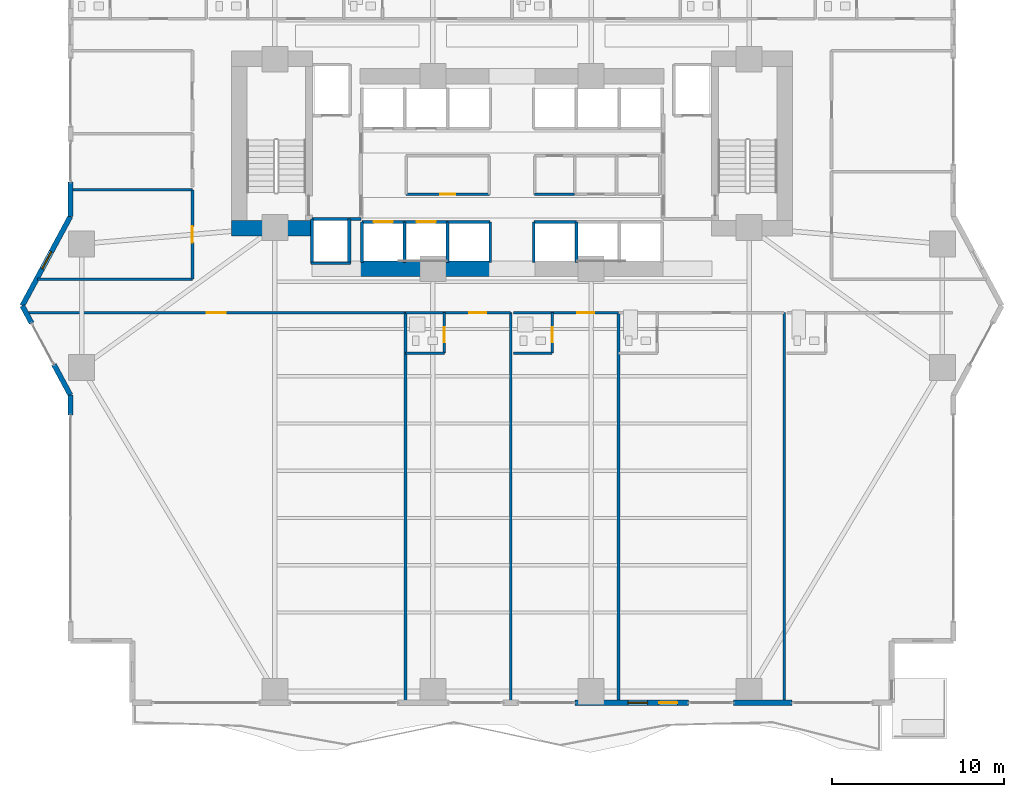
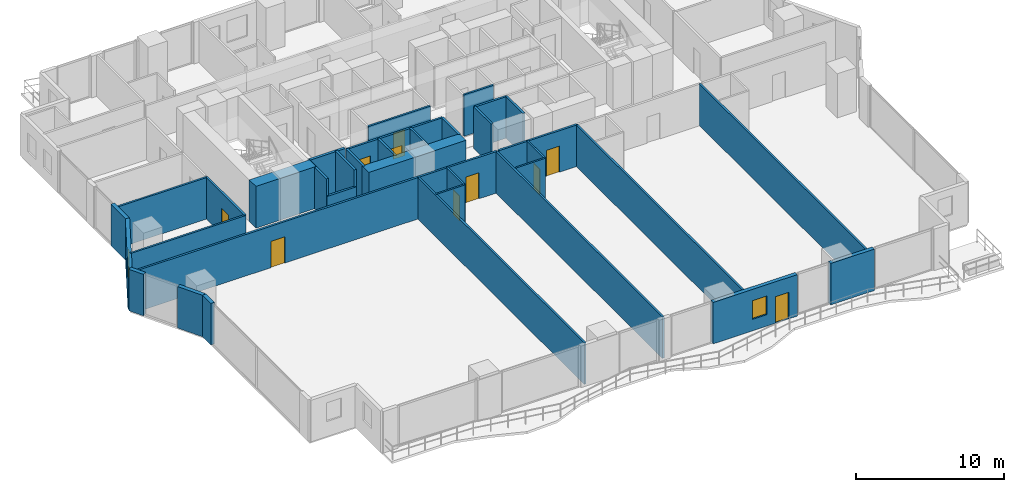
# One storey, part 19 of 30: 39 walls, 10 doors, 2 windows, 12 openings.
"""IFC4 building model written with IfcOpenShell, lengths in metres."""

from ifc_helpers import new_model, si_unit, direction, frame, frame_2d, origin, place, context, subcontext, project, spatial, rectangle, extrude, material, layer, layer_set, type_object, element, fill, save


model = new_model("IFC4")

# Units and contexts
model_context = context("Model", 3, precision=1e-05, world=origin(), true_north=direction((0.0, 1.0)))
body_context = subcontext(model_context, "Body", "Model", "MODEL_VIEW")
ifc_project = project(units=[si_unit("LENGTHUNIT", "METRE"), si_unit("AREAUNIT", "SQUARE_METRE"), si_unit("VOLUMEUNIT", "CUBIC_METRE"), si_unit("PLANEANGLEUNIT", "RADIAN"), si_unit("MASSUNIT", "GRAM", prefix="KILO")], contexts=[model_context])

# Site, building, storey
site_placement = place(None, origin())
site = spatial("IfcSite", under=ifc_project, at=site_placement, CompositionType="ELEMENT")
building_placement = place(site_placement, origin())
building = spatial("IfcBuilding", under=site, at=building_placement, Name="Zuhayl Quay Hotel", CompositionType="ELEMENT")
storey_placement = place(building_placement, frame((0.0, 0.0, 82.35009765625)))
storey = spatial("IfcBuildingStorey", under=building, at=storey_placement, Name="L20", CompositionType="ELEMENT", Elevation=82.35009765625)

# Walls
ifc_material_1 = material(Name="Concrete C70/85", Category="concrete")
ifc_layer_1 = layer(ifc_material_1, 0.89990234375, Name="Concrete C70/85", Category="concrete")
ifc_layer_set_1 = layer_set([ifc_layer_1], Name="Concrete C70/85")
wall_type_1 = type_object("IfcWallType", Name="WL_CORE_900", PredefinedType="SHEAR", material=ifc_layer_set_1)
wall_1_placement = place(storey_placement, frame((-16.31005859375, 4.52001953125, 0.0), z_axis=(0.0, 0.0, 1.0), x_axis=(1.0, 0.0, 0.0)))
element("IfcWall", 1, at=wall_1_placement, inside=storey, type_object=wall_type_1, Name="L20 Core Shear Wall CW_SW", PredefinedType="SHEAR", context=body_context, shape_type="SweptSolid", body=[
    extrude(rectangle(XDim=4.7099609375, YDim=0.89990234375, at=frame_2d((2.35498046875, 0.0))), origin(), (0.0, 0.0, 1.0), 3.4599609375),
])
wall_2_placement = place(storey_placement, frame((-8.85009765625, 2.14990234375, 0.0), z_axis=(0.0, 0.0, 1.0), x_axis=(1.0, 0.0, 0.0)))
element("IfcWall", 2, at=wall_2_placement, inside=storey, type_object=wall_type_1, Name="L20 Core Shear Wall CW_SC_W", PredefinedType="SHEAR", context=body_context, shape_type="SweptSolid", body=[
    extrude(rectangle(XDim=7.60009765625, YDim=0.89990234375, at=frame_2d((3.800048828125, 0.0))), origin(), (0.0, 0.0, 1.0), 3.429931640625),
])
ifc_material_2 = material(Name="Precast concrete C45/55", Category="concrete")
ifc_layer_2 = layer(ifc_material_2, 0.300048828125, Name="Precast concrete C45/55", Category="concrete")
ifc_layer_set_2 = layer_set([ifc_layer_2], Name="Precast concrete C45/55")
wall_type_2 = type_object("IfcWallType", Name="WL_EXT_300", PredefinedType="STANDARD", material=ifc_layer_set_2)
wall_3_placement = place(storey_placement, frame((-25.699951171875, -6.35009765625, 0.0), z_axis=(0.0, 0.0, 1.0), x_axis=(0.0, 1.0, 0.0)))
element("IfcWall", 3, at=wall_3_placement, inside=storey, type_object=wall_type_2, Name="L20 Exterior Precast Wall ENV_L20_E02_EW2", PredefinedType="STANDARD", context=body_context, shape_type="SweptSolid", body=[
    extrude(rectangle(XDim=1.150146484375, YDim=0.300048828125, at=frame_2d((0.5751953125, 0.0))), origin(), (0.0, 0.0, 1.0), 3.429931640625),
])
wall_4_placement = place(storey_placement, frame((-25.699951171875, -5.199951171875, 0.0), z_axis=(0.0, 0.0, 1.0), x_axis=(-0.474121438562, 0.88045946045, 0.0)))
element("IfcWall", 4, at=wall_4_placement, inside=storey, type_object=wall_type_2, Name="L20 Exterior Precast Wall ENV_L20_E03_EW1", PredefinedType="STANDARD", context=body_context, shape_type="SweptSolid", body=[
    extrude(rectangle(XDim=2.0205078125, YDim=0.300048828125, at=frame_2d((1.01025390625, 0.0))), origin(), (0.0, 0.0, 1.0), 3.429931640625),
])
wall_5_placement = place(storey_placement, frame((-27.954833984375, -1.012451171875, 0.0), z_axis=(0.0, 0.0, 1.0), x_axis=(-0.474099823035, 0.880471099922, 0.0)))
element("IfcWall", 5, at=wall_5_placement, inside=storey, type_object=wall_type_2, Name="L20 Exterior Precast Wall ENV_L20_E03_EW2", PredefinedType="STANDARD", context=body_context, shape_type="SweptSolid", body=[
    extrude(rectangle(XDim=1.14990234375, YDim=0.300048828125, at=frame_2d((0.574951171875, 0.0))), origin(), (0.0, 0.0, 1.0), 3.429931640625),
])

# Wall, opening, window
wall_6_placement = place(storey_placement, frame((-28.5, 0.0, 0.0), z_axis=(0.0, 0.0, 1.0), x_axis=(0.474109683532, 0.880465790352, 0.0)))
wall_6 = element("IfcWall", 6, at=wall_6_placement, inside=storey, type_object=wall_type_2, Name="L20 Exterior Precast Wall ENV_L20_E04_EW1", PredefinedType="STANDARD", context=body_context, shape_type="SweptSolid", body=[
    extrude(rectangle(XDim=5.906005859375, YDim=0.300048828125, at=frame_2d((2.953125, 0.0))), origin(), (0.0, 0.0, 1.0), 3.429931640625),
])
opening_1_placement = place(wall_6_placement, frame((2.43212890625, 0.0, 0.949951171875)))
opening_1 = element("IfcOpeningElement", 7, at=opening_1_placement, cuts=wall_6, Name="Opening W01N", PredefinedType="OPENING", context=body_context, shape_type="SweptSolid", body=[
    extrude(rectangle(XDim=1.14990234375, YDim=1.550048828125, at=frame_2d((0.574951171875, 0.77490234375))), frame((0.0, 0.159912109375, 0.0), z_axis=(0.0, -1.0, 0.0), x_axis=(1.0, 0.0, 0.0)), (0.0, 0.0, 1.0), 0.320068359375),
])
ifc_material_3 = material(Name="Dark Ceramic-Fritted Solar Glass", Category="glass")
window_type = type_object("IfcWindowType", Name="WN_NOTCH_1350", PartitioningType="SINGLE_PANEL", PredefinedType="WINDOW", material=ifc_material_3)
window_1_placement = place(opening_1_placement, origin())
window_1 = element("IfcWindow", 8, at=window_1_placement, inside=storey, type_object=window_type, Name="L20 Operable Facade Window 1-1", OverallHeight=1.550048828125, OverallWidth=1.14990234375, PartitioningType="SINGLE_PANEL", PredefinedType="WINDOW", context=body_context, shape_type="SweptSolid", body=[
    extrude(rectangle(XDim=1.14990234375, YDim=1.550048828125, at=frame_2d((0.574951171875, 0.77490234375))), frame((0.0, 0.030029296875, 0.0), z_axis=(0.0, -1.0, 0.0), x_axis=(1.0, 0.0, 0.0)), (0.0, 0.0, 1.0), 0.06005859375),
])
fill(opening_1, window_1)

# Walls
wall_7_placement = place(storey_placement, frame((-25.699951171875, 5.199951171875, 0.0), z_axis=(0.0, 0.0, 1.0), x_axis=(0.0, 1.0, 0.0)))
element("IfcWall", 9, at=wall_7_placement, inside=storey, type_object=wall_type_2, Name="L20 Exterior Precast Wall ENV_L20_E05_EW1", PredefinedType="STANDARD", context=body_context, shape_type="SweptSolid", body=[
    extrude(rectangle(XDim=2.0, YDim=0.300048828125, at=frame_2d((1.0, 0.0))), origin(), (0.0, 0.0, 1.0), 3.429931640625),
])
wall_8_placement = place(storey_placement, frame((16.2900390625, -23.10009765625, 0.0), z_axis=(0.0, 0.0, 1.0), x_axis=(-1.0, 0.0, 0.0)))
element("IfcWall", 10, at=wall_8_placement, inside=storey, type_object=wall_type_2, Name="L20 Exterior Precast Wall ENV_L20_S_EW2", PredefinedType="STANDARD", context=body_context, shape_type="SweptSolid", body=[
    extrude(rectangle(XDim=3.41015625, YDim=0.300048828125, at=frame_2d((1.705078125, 0.0))), origin(), (0.0, 0.0, 1.0), 3.429931640625),
])

# Wall, openings, door, window
wall_9_placement = place(storey_placement, frame((10.26708984375, -23.10009765625, 0.0), z_axis=(0.0, 0.0, 1.0), x_axis=(-1.0, 0.0, 0.0)))
wall_9 = element("IfcWall", 11, at=wall_9_placement, inside=storey, type_object=wall_type_2, Name="L20 Exterior Precast Wall ENV_L20_S_EW3", PredefinedType="STANDARD", context=body_context, shape_type="SweptSolid", body=[
    extrude(rectangle(XDim=6.587158203125, YDim=0.300048828125, at=frame_2d((3.29345703125, 0.0))), origin(), (0.0, 0.0, 1.0), 3.429931640625),
])
opening_2_placement = place(wall_9_placement, frame((0.64990234375, 0.0, 0.0)))
opening_2 = element("IfcOpeningElement", 12, at=opening_2_placement, cuts=wall_9, Name="Opening DG1", PredefinedType="OPENING", context=body_context, shape_type="SweptSolid", body=[
    extrude(rectangle(XDim=1.050048828125, YDim=2.199951171875, at=frame_2d((0.52490234375, 1.10009765625))), frame((0.0, 0.159912109375, 0.0), z_axis=(0.0, -1.0, 0.0), x_axis=(1.0, 0.0, 0.0)), (0.0, 0.0, 1.0), 0.320068359375),
])
opening_3_placement = place(wall_9_placement, frame((2.37353515625, 0.0, 0.949951171875)))
opening_3 = element("IfcOpeningElement", 13, at=opening_3_placement, cuts=wall_9, Name="Opening W01N", PredefinedType="OPENING", context=body_context, shape_type="SweptSolid", body=[
    extrude(rectangle(XDim=1.14990234375, YDim=1.550048828125, at=frame_2d((0.574951171875, 0.77490234375))), frame((0.0, 0.159912109375, 0.0), z_axis=(0.0, -1.0, 0.0), x_axis=(1.0, 0.0, 0.0)), (0.0, 0.0, 1.0), 0.320068359375),
])
ifc_material_4 = material(Name="Anodised Aluminium and Dark Solar Glass", Category="aluminium")
door_type_1 = type_object("IfcDoorType", Name="DR_EXT_TERR_1050", OperationType="NOTDEFINED", PredefinedType="DOOR", material=ifc_material_4)
door_1_placement = place(opening_2_placement, origin())
door_1 = element("IfcDoor", 14, at=door_1_placement, inside=storey, type_object=door_type_1, Name="L20 South Rippling Balcony Door", OperationType="SINGLE_SWING_RIGHT", OverallHeight=2.199951171875, OverallWidth=1.050048828125, PredefinedType="DOOR", context=body_context, shape_type="SweptSolid", body=[
    extrude(rectangle(XDim=1.050048828125, YDim=2.199951171875, at=frame_2d((0.52490234375, 1.10009765625))), frame((0.0, 0.02490234375, 0.0), z_axis=(0.0, -1.0, 0.0), x_axis=(1.0, 0.0, 0.0)), (0.0, 0.0, 1.0), 0.050048828125),
])
fill(opening_2, door_1)
window_2_placement = place(opening_3_placement, origin())
window_2 = element("IfcWindow", 15, at=window_2_placement, inside=storey, type_object=window_type, Name="L20 Operable Facade Window 3-1", OverallHeight=1.550048828125, OverallWidth=1.14990234375, PartitioningType="SINGLE_PANEL", PredefinedType="WINDOW", context=body_context, shape_type="SweptSolid", body=[
    extrude(rectangle(XDim=1.14990234375, YDim=1.550048828125, at=frame_2d((0.574951171875, 0.77490234375))), frame((0.0, 0.030029296875, 0.0), z_axis=(0.0, -1.0, 0.0), x_axis=(1.0, 0.0, 0.0)), (0.0, 0.0, 1.0), 0.06005859375),
])
fill(opening_3, window_2)

# Wall, opening, door
ifc_material_5 = material(Name="Acoustic Gypsum Partition STC-58")
ifc_layer_3 = layer(ifc_material_5, 0.14990234375, Name="Acoustic Gypsum Partition STC-58")
ifc_layer_set_3 = layer_set([ifc_layer_3], Name="Acoustic Gypsum Partition STC-58")
wall_type_3 = type_object("IfcWallType", Name="WL_PART_150", PredefinedType="PARTITIONING", material=ifc_layer_set_3)
wall_10_placement = place(storey_placement, frame((-6.159912109375, 6.47998046875, 0.0), z_axis=(0.0, 0.0, 1.0), x_axis=(1.0, 0.0, 0.0)))
wall_10 = element("IfcWall", 16, at=wall_10_placement, inside=storey, type_object=wall_type_3, Name="L20 Partition IW_L20_CORE_SV_S", PredefinedType="PARTITIONING", context=body_context, shape_type="SweptSolid", body=[
    extrude(rectangle(XDim=4.83984375, YDim=0.14990234375, at=frame_2d((2.419921875, 0.0))), origin(), (0.0, 0.0, 1.0), 3.429931640625),
])
opening_4_placement = place(wall_10_placement, frame((1.969970703125, 0.0, 0.0)))
opening_4 = element("IfcOpeningElement", 17, at=opening_4_placement, cuts=wall_10, Name="Opening D06", PredefinedType="OPENING", context=body_context, shape_type="SweptSolid", body=[
    extrude(rectangle(XDim=0.89990234375, YDim=2.14990234375, at=frame_2d((0.449951171875, 1.074951171875))), frame((0.0, 0.0849609375, 0.0), z_axis=(0.0, -1.0, 0.0), x_axis=(1.0, 0.0, 0.0)), (0.0, 0.0, 1.0), 0.169921875),
])
ifc_material_6 = material(Name="Steel ASTM A992 Grade 50", Category="steel")
door_type_2 = type_object("IfcDoorType", Name="DR_INT_900", OperationType="NOTDEFINED", PredefinedType="DOOR", material=ifc_material_6)
door_2_placement = place(opening_4_placement, origin())
door_2 = element("IfcDoor", 18, at=door_2_placement, inside=storey, type_object=door_type_2, Name="L20 Core Ice and Linen Store Door", OperationType="SINGLE_SWING_LEFT", OverallHeight=2.14990234375, OverallWidth=0.89990234375, PredefinedType="DOOR", context=body_context, shape_type="SweptSolid", body=[
    extrude(rectangle(XDim=0.89990234375, YDim=2.14990234375, at=frame_2d((0.449951171875, 1.074951171875))), frame((0.0, 0.02490234375, 0.0), z_axis=(0.0, -1.0, 0.0), x_axis=(1.0, 0.0, 0.0)), (0.0, 0.0, 1.0), 0.050048828125),
])
fill(opening_4, door_2)

# Walls
wall_11_placement = place(storey_placement, frame((1.320068359375, 6.47998046875, 0.0), z_axis=(0.0, 0.0, 1.0), x_axis=(1.0, 0.0, 0.0)))
element("IfcWall", 19, at=wall_11_placement, inside=storey, type_object=wall_type_3, Name="L20 Partition IW_L20_CORE_E1_S", PredefinedType="PARTITIONING", context=body_context, shape_type="SweptSolid", body=[
    extrude(rectangle(XDim=2.31982421875, YDim=0.14990234375, at=frame_2d((1.159912109375, 0.0))), origin(), (0.0, 0.0, 1.0), 3.429931640625),
])
wall_12_placement = place(storey_placement, frame((-6.199951171875, -23.0400390625, 0.0), z_axis=(0.0, 0.0, 1.0), x_axis=(0.0, 1.0, 0.0)))
element("IfcWall", 20, at=wall_12_placement, inside=storey, type_object=wall_type_3, Name="L20 Partition IW_L20_SSAL_0_E", PredefinedType="PARTITIONING", context=body_context, shape_type="SweptSolid", body=[
    extrude(rectangle(XDim=22.64013671875, YDim=0.14990234375, at=frame_2d((11.320068359375, 0.0))), origin(), (0.0, 0.0, 1.0), 3.429931640625),
])
for number, where, z_axis, x_axis, name in (
    (21, (-0.080078125, -23.02001953125, 0.0), (0.0, 0.0, 1.0), (0.0, 1.0, 0.0), "L20 Partition IW_L20_SU02A_E"),
    (22, (6.199951171875, -23.02001953125, 0.0), (0.0, 0.0, 1.0), (0.0, 1.0, 0.0), "L20 Partition IW_L20_SU02B_E"),
    (23, (15.840087890625, -23.02001953125, 0.0), (0.0, 0.0, 1.0), (0.0, 1.0, 0.0), "L20 Partition IW_L20_SU03A_E"),
):
    element("IfcWall", number, at=place(storey_placement, frame(where, z_axis=z_axis, x_axis=x_axis)), inside=storey, type_object=wall_type_3, Name=name, PredefinedType="PARTITIONING", context=body_context, shape_type="SweptSolid", body=[
        extrude(rectangle(XDim=22.6201171875, YDim=0.14990234375, at=frame_2d((11.31005859375, 0.0))), origin(), (0.0, 0.0, 1.0), 3.429931640625),
    ])
wall_13_placement = place(storey_placement, frame((-27.60546875, 1.550048828125, 0.0), z_axis=(0.0, 0.0, 1.0), x_axis=(1.0, 0.0, 0.0)))
element("IfcWall", 24, at=wall_13_placement, inside=storey, type_object=wall_type_3, Name="L20 Partition IW_L20_WPROW_1_S", PredefinedType="PARTITIONING", context=body_context, shape_type="SweptSolid", body=[
    extrude(rectangle(XDim=9.00537109375, YDim=0.14990234375, at=frame_2d((4.502685546875, 0.0))), origin(), (0.0, 0.0, 1.0), 3.429931640625),
])
wall_14_placement = place(storey_placement, frame((-25.639892578125, 6.75, 0.0), z_axis=(0.0, 0.0, 1.0), x_axis=(1.0, 0.0, 0.0)))
element("IfcWall", 25, at=wall_14_placement, inside=storey, type_object=wall_type_3, Name="L20 Partition IW_L20_WPROW_1_N", PredefinedType="PARTITIONING", context=body_context, shape_type="SweptSolid", body=[
    extrude(rectangle(XDim=7.039794921875, YDim=0.14990234375, at=frame_2d((3.52001953125, 0.0))), origin(), (0.0, 0.0, 1.0), 3.429931640625),
])

# Wall, opening, door
ifc_layer_4 = layer(ifc_material_5, 0.159912109375, Name="Acoustic Gypsum Partition STC-58")
ifc_layer_set_4 = layer_set([ifc_layer_4], Name="Acoustic Gypsum Partition STC-58")
wall_type_4 = type_object("IfcWallType", Name="WL_PART_CORR_160", PredefinedType="PARTITIONING", material=ifc_layer_set_4)
wall_15_placement = place(storey_placement, frame((-28.224609375, -0.39990234375, 0.0), z_axis=(0.0, 0.0, 1.0), x_axis=(1.0, 0.0, 0.0)))
wall_15 = element("IfcWall", 26, at=wall_15_placement, inside=storey, type_object=wall_type_4, Name="L20 Partition IW_L20_SSAL_0_N", PredefinedType="PARTITIONING", context=body_context, shape_type="SweptSolid", body=[
    extrude(rectangle(XDim=22.024658203125, YDim=0.159912109375, at=frame_2d((11.01220703125, 0.0))), origin(), (0.0, 0.0, 1.0), 3.429931640625),
])
opening_5_placement = place(wall_15_placement, frame((10.472412109375, 0.0, 0.0)))
opening_5 = element("IfcOpeningElement", 27, at=opening_5_placement, cuts=wall_15, Name="Opening D05A", PredefinedType="OPENING", context=body_context, shape_type="SweptSolid", body=[
    extrude(rectangle(XDim=1.080078125, YDim=2.179931640625, at=frame_2d((0.5400390625, 1.08984375))), frame((0.0, 0.08984375, 0.0), z_axis=(0.0, -1.0, 0.0), x_axis=(1.0, 0.0, 0.0)), (0.0, 0.0, 1.0), 0.179931640625),
])
ifc_material_7 = material(Name="Solid Walnut Acoustic Fire Door")
door_type_3 = type_object("IfcDoorType", Name="DR_INT_1100", OperationType="NOTDEFINED", PredefinedType="DOOR", material=ifc_material_7)
door_3_placement = place(opening_5_placement, origin())
door_3 = element("IfcDoor", 28, at=door_3_placement, inside=storey, type_object=door_type_3, Name="L20 South Sunset Salon L20 Door", OperationType="SINGLE_SWING_LEFT", OverallHeight=2.179931640625, OverallWidth=1.080078125, PredefinedType="DOOR", context=body_context, shape_type="SweptSolid", body=[
    extrude(rectangle(XDim=1.080078125, YDim=2.179931640625, at=frame_2d((0.5400390625, 1.08984375))), frame((0.0, 0.02490234375, 0.0), z_axis=(0.0, -1.0, 0.0), x_axis=(1.0, 0.0, 0.0)), (0.0, 0.0, 1.0), 0.050048828125),
])
fill(opening_5, door_3)

wall_16_placement = place(storey_placement, frame((-6.199951171875, -0.39990234375, 0.0), z_axis=(0.0, 0.0, 1.0), x_axis=(1.0, 0.0, 0.0)))
wall_16 = element("IfcWall", 29, at=wall_16_placement, inside=storey, type_object=wall_type_4, Name="L20 Partition IW_L20_SU02A_COR", PredefinedType="PARTITIONING", context=body_context, shape_type="SweptSolid", body=[
    extrude(rectangle(XDim=6.119873046875, YDim=0.159912109375, at=frame_2d((3.06005859375, 0.0))), origin(), (0.0, 0.0, 1.0), 3.429931640625),
])
opening_6_placement = place(wall_16_placement, frame((3.7099609375, 0.0, 0.0)))
opening_6 = element("IfcOpeningElement", 30, at=opening_6_placement, cuts=wall_16, Name="Opening D03L", PredefinedType="OPENING", context=body_context, shape_type="SweptSolid", body=[
    extrude(rectangle(XDim=1.0, YDim=2.14990234375, at=frame_2d((0.5, 1.074951171875))), frame((0.0, 0.08984375, 0.0), z_axis=(0.0, -1.0, 0.0), x_axis=(1.0, 0.0, 0.0)), (0.0, 0.0, 1.0), 0.179931640625),
])
door_type_4 = type_object("IfcDoorType", Name="DR_SUITE_1000", OperationType="NOTDEFINED", PredefinedType="DOOR", material=ifc_material_7)
door_4_placement = place(opening_6_placement, origin())
door_4 = element("IfcDoor", 31, at=door_4_placement, inside=storey, type_object=door_type_4, Name="L20 City-View Junior Suite L20-02A Entrance Door", OperationType="SINGLE_SWING_LEFT", OverallHeight=2.14990234375, OverallWidth=1.0, PredefinedType="DOOR", context=body_context, shape_type="SweptSolid", body=[
    extrude(rectangle(XDim=1.0, YDim=2.14990234375, at=frame_2d((0.5, 1.074951171875))), frame((0.0, 0.02490234375, 0.0), z_axis=(0.0, -1.0, 0.0), x_axis=(1.0, 0.0, 0.0)), (0.0, 0.0, 1.0), 0.050048828125),
])
fill(opening_6, door_4)

wall_17_placement = place(storey_placement, frame((0.080078125, -0.39990234375, 0.0), z_axis=(0.0, 0.0, 1.0), x_axis=(1.0, 0.0, 0.0)))
wall_17 = element("IfcWall", 32, at=wall_17_placement, inside=storey, type_object=wall_type_4, Name="L20 Partition IW_L20_SU02B_COR", PredefinedType="PARTITIONING", context=body_context, shape_type="SweptSolid", body=[
    extrude(rectangle(XDim=6.119873046875, YDim=0.159912109375, at=frame_2d((3.06005859375, 0.0))), origin(), (0.0, 0.0, 1.0), 3.429931640625),
])
opening_7_placement = place(wall_17_placement, frame((3.7099609375, 0.0, 0.0)))
opening_7 = element("IfcOpeningElement", 33, at=opening_7_placement, cuts=wall_17, Name="Opening D03L", PredefinedType="OPENING", context=body_context, shape_type="SweptSolid", body=[
    extrude(rectangle(XDim=1.0, YDim=2.14990234375, at=frame_2d((0.5, 1.074951171875))), frame((0.0, 0.08984375, 0.0), z_axis=(0.0, -1.0, 0.0), x_axis=(1.0, 0.0, 0.0)), (0.0, 0.0, 1.0), 0.179931640625),
])
door_5_placement = place(opening_7_placement, origin())
door_5 = element("IfcDoor", 34, at=door_5_placement, inside=storey, type_object=door_type_4, Name="L20 City-View Junior Suite L20-02B Entrance Door", OperationType="SINGLE_SWING_LEFT", OverallHeight=2.14990234375, OverallWidth=1.0, PredefinedType="DOOR", context=body_context, shape_type="SweptSolid", body=[
    extrude(rectangle(XDim=1.0, YDim=2.14990234375, at=frame_2d((0.5, 1.074951171875))), frame((0.0, 0.02490234375, 0.0), z_axis=(0.0, -1.0, 0.0), x_axis=(1.0, 0.0, 0.0)), (0.0, 0.0, 1.0), 0.050048828125),
])
fill(opening_7, door_5)

wall_18_placement = place(storey_placement, frame((-18.60009765625, 1.550048828125, 0.0), z_axis=(0.0, 0.0, 1.0), x_axis=(0.0, 1.0, 0.0)))
wall_18 = element("IfcWall", 35, at=wall_18_placement, inside=storey, type_object=wall_type_4, Name="L20 Partition IW_L20_WPROW_1_E", PredefinedType="PARTITIONING", context=body_context, shape_type="SweptSolid", body=[
    extrude(rectangle(XDim=5.199951171875, YDim=0.159912109375, at=frame_2d((2.60009765625, 0.0))), origin(), (0.0, 0.0, 1.0), 3.429931640625),
])
opening_8_placement = place(wall_18_placement, frame((2.125, 0.0, 0.0)))
opening_8 = element("IfcOpeningElement", 36, at=opening_8_placement, cuts=wall_18, Name="Opening D03", PredefinedType="OPENING", context=body_context, shape_type="SweptSolid", body=[
    extrude(rectangle(XDim=0.949951171875, YDim=2.14990234375, at=frame_2d((0.47509765625, 1.074951171875))), frame((0.0, 0.08984375, 0.0), z_axis=(0.0, -1.0, 0.0), x_axis=(1.0, 0.0, 0.0)), (0.0, 0.0, 1.0), 0.179931640625),
])
door_type_5 = type_object("IfcDoorType", Name="DR_SUITE_950", OperationType="NOTDEFINED", PredefinedType="DOOR", material=ifc_material_7)
door_6_placement = place(opening_8_placement, origin())
door_6 = element("IfcDoor", 37, at=door_6_placement, inside=storey, type_object=door_type_5, Name="L20 West Prow Office L20 Door", OperationType="SINGLE_SWING_RIGHT", OverallHeight=2.14990234375, OverallWidth=0.949951171875, PredefinedType="DOOR", context=body_context, shape_type="SweptSolid", body=[
    extrude(rectangle(XDim=0.949951171875, YDim=2.14990234375, at=frame_2d((0.47509765625, 1.074951171875))), frame((0.0, 0.02490234375, 0.0), z_axis=(0.0, -1.0, 0.0), x_axis=(1.0, 0.0, 0.0)), (0.0, 0.0, 1.0), 0.050048828125),
])
fill(opening_8, door_6)

ifc_material_8 = material(Name="Moisture-Resistant Sanitarychase Gypsum")
ifc_layer_5 = layer(ifc_material_8, 0.135009765625, Name="Moisture-Resistant Sanitarychase Gypsum")
ifc_layer_set_5 = layer_set([ifc_layer_5], Name="Moisture-Resistant Sanitarychase Gypsum")
wall_type_5 = type_object("IfcWallType", Name="WL_PART_PLUMB_150", PredefinedType="PLUMBINGWALL", material=ifc_layer_set_5)
wall_19_placement = place(storey_placement, frame((-3.93994140625, -2.760009765625, 0.0), z_axis=(0.0, 0.0, 1.0), x_axis=(0.0, 1.0, 0.0)))
wall_19 = element("IfcWall", 38, at=wall_19_placement, inside=storey, type_object=wall_type_5, Name="L20 Partition IW_L20_SU02A_BE", PredefinedType="PLUMBINGWALL", context=body_context, shape_type="SweptSolid", body=[
    extrude(rectangle(XDim=2.360107421875, YDim=0.135009765625, at=frame_2d((1.18017578125, 0.0))), origin(), (0.0, 0.0, 1.0), 3.429931640625),
])
opening_9_placement = place(wall_19_placement, frame((0.64990234375, 0.0, 0.0)))
opening_9 = element("IfcOpeningElement", 39, at=opening_9_placement, cuts=wall_19, Name="Opening D04", PredefinedType="OPENING", context=body_context, shape_type="SweptSolid", body=[
    extrude(rectangle(XDim=0.85009765625, YDim=2.10009765625, at=frame_2d((0.425048828125, 1.050048828125))), frame((0.0, 0.077392578125, 0.0), z_axis=(0.0, -1.0, 0.0), x_axis=(1.0, 0.0, 0.0)), (0.0, 0.0, 1.0), 0.155029296875),
])
ifc_material_9 = material(Name="Moisture-Resistant Walnut Veneer")
door_type_6 = type_object("IfcDoorType", Name="DR_BATH_850", OperationType="NOTDEFINED", PredefinedType="DOOR", material=ifc_material_9)
door_7_placement = place(opening_9_placement, origin())
door_7 = element("IfcDoor", 40, at=door_7_placement, inside=storey, type_object=door_type_6, Name="L20 City-View Junior Suite L20-02A En-Suite Door", OperationType="SINGLE_SWING_RIGHT", OverallHeight=2.10009765625, OverallWidth=0.85009765625, PredefinedType="DOOR", context=body_context, shape_type="SweptSolid", body=[
    extrude(rectangle(XDim=0.85009765625, YDim=2.10009765625, at=frame_2d((0.425048828125, 1.050048828125))), frame((0.0, 0.02490234375, 0.0), z_axis=(0.0, -1.0, 0.0), x_axis=(1.0, 0.0, 0.0)), (0.0, 0.0, 1.0), 0.050048828125),
])
fill(opening_9, door_7)

wall_20_placement = place(storey_placement, frame((2.340087890625, -2.760009765625, 0.0), z_axis=(0.0, 0.0, 1.0), x_axis=(0.0, 1.0, 0.0)))
wall_20 = element("IfcWall", 41, at=wall_20_placement, inside=storey, type_object=wall_type_5, Name="L20 Partition IW_L20_SU02B_BE", PredefinedType="PLUMBINGWALL", context=body_context, shape_type="SweptSolid", body=[
    extrude(rectangle(XDim=2.360107421875, YDim=0.135009765625, at=frame_2d((1.18017578125, 0.0))), origin(), (0.0, 0.0, 1.0), 3.429931640625),
])
opening_10_placement = place(wall_20_placement, frame((0.64990234375, 0.0, 0.0)))
opening_10 = element("IfcOpeningElement", 42, at=opening_10_placement, cuts=wall_20, Name="Opening D04", PredefinedType="OPENING", context=body_context, shape_type="SweptSolid", body=[
    extrude(rectangle(XDim=0.85009765625, YDim=2.10009765625, at=frame_2d((0.425048828125, 1.050048828125))), frame((0.0, 0.077392578125, 0.0), z_axis=(0.0, -1.0, 0.0), x_axis=(1.0, 0.0, 0.0)), (0.0, 0.0, 1.0), 0.155029296875),
])
door_8_placement = place(opening_10_placement, origin())
door_8 = element("IfcDoor", 43, at=door_8_placement, inside=storey, type_object=door_type_6, Name="L20 City-View Junior Suite L20-02B En-Suite Door", OperationType="SINGLE_SWING_RIGHT", OverallHeight=2.10009765625, OverallWidth=0.85009765625, PredefinedType="DOOR", context=body_context, shape_type="SweptSolid", body=[
    extrude(rectangle(XDim=0.85009765625, YDim=2.10009765625, at=frame_2d((0.425048828125, 1.050048828125))), frame((0.0, 0.02490234375, 0.0), z_axis=(0.0, -1.0, 0.0), x_axis=(1.0, 0.0, 0.0)), (0.0, 0.0, 1.0), 0.050048828125),
])
fill(opening_10, door_8)

# Walls
for number, where, z_axis, x_axis, name in (
    (44, (-6.199951171875, -2.760009765625, 0.0), (0.0, 0.0, 1.0), (1.0, 0.0, 0.0), "L20 Partition IW_L20_SU02A_BS"),
    (45, (0.080078125, -2.760009765625, 0.0), (0.0, 0.0, 1.0), (1.0, 0.0, 0.0), "L20 Partition IW_L20_SU02B_BS"),
):
    element("IfcWall", number, at=place(storey_placement, frame(where, z_axis=z_axis, x_axis=x_axis)), inside=storey, type_object=wall_type_5, Name=name, PredefinedType="PLUMBINGWALL", context=body_context, shape_type="SweptSolid", body=[
        extrude(rectangle(XDim=2.260009765625, YDim=0.135009765625, at=frame_2d((1.1298828125, 0.0))), origin(), (0.0, 0.0, 1.0), 3.429931640625),
    ])

# Wall, opening, door
ifc_material_10 = material(Name="Gypsum Fireboard Assembly EI-90")
ifc_layer_6 = layer(ifc_material_10, 0.1650390625, Name="Gypsum Fireboard Assembly EI-90")
ifc_layer_set_6 = layer_set([ifc_layer_6], Name="Gypsum Fireboard Assembly EI-90")
wall_type_6 = type_object("IfcWallType", Name="WL_PART_SHAFT_160", PredefinedType="PARTITIONING", material=ifc_layer_set_6)
wall_21_placement = place(storey_placement, frame((-8.72998046875, 4.8798828125, 0.0), z_axis=(0.0, 0.0, 1.0), x_axis=(1.0, 0.0, 0.0)))
wall_21 = element("IfcWall", 46, at=wall_21_placement, inside=storey, type_object=wall_type_6, Name="L20 Partition IW_L20_SH_LP1_F", PredefinedType="PARTITIONING", context=body_context, shape_type="SweptSolid", body=[
    extrude(rectangle(XDim=2.47998046875, YDim=0.1650390625, at=frame_2d((1.239990234375, 0.0))), origin(), (0.0, 0.0, 1.0), 3.429931640625),
])
opening_11_placement = place(wall_21_placement, frame((0.68994140625, 0.0, 0.0)))
opening_11 = element("IfcOpeningElement", 47, at=opening_11_placement, cuts=wall_21, Name="Opening LD1", PredefinedType="OPENING", context=body_context, shape_type="SweptSolid", body=[
    extrude(rectangle(XDim=1.10009765625, YDim=2.25, at=frame_2d((0.550048828125, 1.125))), frame((0.0, 0.092529296875, 0.0), z_axis=(0.0, -1.0, 0.0), x_axis=(1.0, 0.0, 0.0)), (0.0, 0.0, 1.0), 0.18505859375),
])
ifc_material_11 = material(Name="Brushed Stainless Steel", Category="steel")
door_type_7 = type_object("IfcDoorType", Name="DR_LIFT_PASS_1100", OperationType="SLIDING_TO_LEFT", PredefinedType="DOOR", material=ifc_material_11)
door_9_placement = place(opening_11_placement, origin())
door_9 = element("IfcDoor", 48, at=door_9_placement, inside=storey, type_object=door_type_7, Name="L20 Lift LP1 Sliding Landing Door", OperationType="SLIDING_TO_LEFT", OverallHeight=2.25, OverallWidth=1.10009765625, PredefinedType="DOOR", context=body_context, shape_type="SweptSolid", body=[
    extrude(rectangle(XDim=1.10009765625, YDim=2.25, at=frame_2d((0.550048828125, 1.125))), frame((0.0, 0.02490234375, 0.0), z_axis=(0.0, -1.0, 0.0), x_axis=(1.0, 0.0, 0.0)), (0.0, 0.0, 1.0), 0.050048828125),
])
fill(opening_11, door_9)

wall_22_placement = place(storey_placement, frame((-6.25, 4.8798828125, 0.0), z_axis=(0.0, 0.0, 1.0), x_axis=(1.0, 0.0, 0.0)))
wall_22 = element("IfcWall", 49, at=wall_22_placement, inside=storey, type_object=wall_type_6, Name="L20 Partition IW_L20_SH_LP2_F", PredefinedType="PARTITIONING", context=body_context, shape_type="SweptSolid", body=[
    extrude(rectangle(XDim=2.5, YDim=0.1650390625, at=frame_2d((1.25, 0.0))), origin(), (0.0, 0.0, 1.0), 3.429931640625),
])
opening_12_placement = place(wall_22_placement, frame((0.699951171875, 0.0, 0.0)))
opening_12 = element("IfcOpeningElement", 50, at=opening_12_placement, cuts=wall_22, Name="Opening LD1", PredefinedType="OPENING", context=body_context, shape_type="SweptSolid", body=[
    extrude(rectangle(XDim=1.10009765625, YDim=2.25, at=frame_2d((0.550048828125, 1.125))), frame((0.0, 0.092529296875, 0.0), z_axis=(0.0, -1.0, 0.0), x_axis=(1.0, 0.0, 0.0)), (0.0, 0.0, 1.0), 0.18505859375),
])
door_10_placement = place(opening_12_placement, origin())
door_10 = element("IfcDoor", 51, at=door_10_placement, inside=storey, type_object=door_type_7, Name="L20 Lift LP2 Sliding Landing Door", OperationType="SLIDING_TO_LEFT", OverallHeight=2.25, OverallWidth=1.10009765625, PredefinedType="DOOR", context=body_context, shape_type="SweptSolid", body=[
    extrude(rectangle(XDim=1.10009765625, YDim=2.25, at=frame_2d((0.550048828125, 1.125))), frame((0.0, 0.02490234375, 0.0), z_axis=(0.0, -1.0, 0.0), x_axis=(1.0, 0.0, 0.0)), (0.0, 0.0, 1.0), 0.050048828125),
])
fill(opening_12, door_10)

# Walls
for number, where, z_axis, x_axis, name in (
    (52, (-8.72998046875, 2.52001953125, 0.0), (0.0, 0.0, 1.0), (0.0, 1.0, 0.0), "L20 Partition IW_L20_SH_LP1_W"),
    (53, (-6.25, 2.52001953125, 0.0), (0.0, 0.0, 1.0), (0.0, 1.0, 0.0), "L20 Partition IW_L20_SH_LP1_E"),
    (54, (-3.75, 2.52001953125, 0.0), (0.0, 0.0, 1.0), (0.0, 1.0, 0.0), "L20 Partition IW_L20_SH_LP2_E"),
):
    element("IfcWall", number, at=place(storey_placement, frame(where, z_axis=z_axis, x_axis=x_axis)), inside=storey, type_object=wall_type_6, Name=name, PredefinedType="PARTITIONING", context=body_context, shape_type="SweptSolid", body=[
        extrude(rectangle(XDim=2.35986328125, YDim=0.1650390625, at=frame_2d((1.179931640625, 0.0))), origin(), (0.0, 0.0, 1.0), 3.429931640625),
    ])
wall_23_placement = place(storey_placement, frame((-3.75, 4.8798828125, 0.0), z_axis=(0.0, 0.0, 1.0), x_axis=(1.0, 0.0, 0.0)))
element("IfcWall", 55, at=wall_23_placement, inside=storey, type_object=wall_type_6, Name="L20 Partition IW_L20_SH_MP1_F", PredefinedType="PARTITIONING", context=body_context, shape_type="SweptSolid", body=[
    extrude(rectangle(XDim=2.47998046875, YDim=0.1650390625, at=frame_2d((1.239990234375, 0.0))), origin(), (0.0, 0.0, 1.0), 3.429931640625),
])
wall_24_placement = place(storey_placement, frame((-1.27001953125, 2.52001953125, 0.0), z_axis=(0.0, 0.0, 1.0), x_axis=(0.0, 1.0, 0.0)))
element("IfcWall", 56, at=wall_24_placement, inside=storey, type_object=wall_type_6, Name="L20 Partition IW_L20_SH_MP1_E", PredefinedType="PARTITIONING", context=body_context, shape_type="SweptSolid", body=[
    extrude(rectangle(XDim=2.35986328125, YDim=0.1650390625, at=frame_2d((1.179931640625, 0.0))), origin(), (0.0, 0.0, 1.0), 3.429931640625),
])
wall_25_placement = place(storey_placement, frame((1.27001953125, 4.8798828125, 0.0), z_axis=(0.0, 0.0, 1.0), x_axis=(1.0, 0.0, 0.0)))
element("IfcWall", 57, at=wall_25_placement, inside=storey, type_object=wall_type_6, Name="L20 Partition IW_L20_SH_MP2_F", PredefinedType="PARTITIONING", context=body_context, shape_type="SweptSolid", body=[
    extrude(rectangle(XDim=2.47998046875, YDim=0.1650390625, at=frame_2d((1.239990234375, 0.0))), origin(), (0.0, 0.0, 1.0), 3.429931640625),
])
for number, where, z_axis, x_axis, name in (
    (58, (1.27001953125, 2.52001953125, 0.0), (0.0, 0.0, 1.0), (0.0, 1.0, 0.0), "L20 Partition IW_L20_SH_MP2_W"),
    (59, (3.75, 2.52001953125, 0.0), (0.0, 0.0, 1.0), (0.0, 1.0, 0.0), "L20 Partition IW_L20_SH_MP2_E"),
):
    element("IfcWall", number, at=place(storey_placement, frame(where, z_axis=z_axis, x_axis=x_axis)), inside=storey, type_object=wall_type_6, Name=name, PredefinedType="PARTITIONING", context=body_context, shape_type="SweptSolid", body=[
        extrude(rectangle(XDim=2.35986328125, YDim=0.1650390625, at=frame_2d((1.179931640625, 0.0))), origin(), (0.0, 0.0, 1.0), 3.429931640625),
    ])
wall_26_placement = place(storey_placement, frame((-11.6298828125, 2.469970703125, 0.0), z_axis=(0.0, 0.0, 1.0), x_axis=(0.0, 1.0, 0.0)))
element("IfcWall", 60, at=wall_26_placement, inside=storey, type_object=wall_type_6, Name="L20 Partition IW_L20_RISER_W", PredefinedType="PARTITIONING", context=body_context, shape_type="SweptSolid", body=[
    extrude(rectangle(XDim=2.580078125, YDim=0.1650390625, at=frame_2d((1.2900390625, 0.0))), origin(), (0.0, 0.0, 1.0), 3.429931640625),
])
wall_27_placement = place(storey_placement, frame((-11.7099609375, 2.469970703125, 0.0), z_axis=(0.0, 0.0, 1.0), x_axis=(1.0, 0.0, 0.0)))
element("IfcWall", 61, at=wall_27_placement, inside=storey, type_object=wall_type_6, Name="L20 Partition IW_L20_RISER_S", PredefinedType="PARTITIONING", context=body_context, shape_type="SweptSolid", body=[
    extrude(rectangle(XDim=2.31005859375, YDim=0.1650390625, at=frame_2d((1.155029296875, 0.0))), origin(), (0.0, 0.0, 1.0), 2.02978515625),
])
ifc_layer_7 = layer(ifc_material_10, 0.179931640625, Name="Gypsum Fireboard Assembly EI-90")
ifc_layer_set_7 = layer_set([ifc_layer_7], Name="Gypsum Fireboard Assembly EI-90")
wall_type_7 = type_object("IfcWallType", Name="WL_PART_SHAFT_180", PredefinedType="PARTITIONING", material=ifc_layer_set_7)
wall_28_placement = place(storey_placement, frame((-9.469970703125, 2.449951171875, 0.0), z_axis=(0.0, 0.0, 1.0), x_axis=(0.0, 1.0, 0.0)))
element("IfcWall", 62, at=wall_28_placement, inside=storey, type_object=wall_type_7, Name="L20 Partition IW_L20_RISER_E", PredefinedType="PARTITIONING", context=body_context, shape_type="SweptSolid", body=[
    extrude(rectangle(XDim=2.60009765625, YDim=0.179931640625, at=frame_2d((1.300048828125, 0.0))), origin(), (0.0, 0.0, 1.0), 3.429931640625),
])
ifc_material_12 = material(Name="Gypsum Fireboard Assembly EI-120")
ifc_layer_8 = layer(ifc_material_12, 0.199951171875, Name="Gypsum Fireboard Assembly EI-120")
ifc_layer_set_8 = layer_set([ifc_layer_8], Name="Gypsum Fireboard Assembly EI-120")
wall_type_8 = type_object("IfcWallType", Name="WL_PART_SHAFT_200", PredefinedType="PARTITIONING", material=ifc_layer_set_8)
wall_29_placement = place(storey_placement, frame((-11.64990234375, 5.050048828125, 0.0), z_axis=(0.0, 0.0, 1.0), x_axis=(1.0, 0.0, 0.0)))
element("IfcWall", 63, at=wall_29_placement, inside=storey, type_object=wall_type_8, Name="L20 Partition IW_L20_FSAE_W_S", PredefinedType="PARTITIONING", context=body_context, shape_type="SweptSolid", body=[
    extrude(rectangle(XDim=2.849853515625, YDim=0.199951171875, at=frame_2d((1.4248046875, 0.0))), origin(), (0.0, 0.0, 1.0), 3.429931640625),
])

save(model, "model.ifc")
